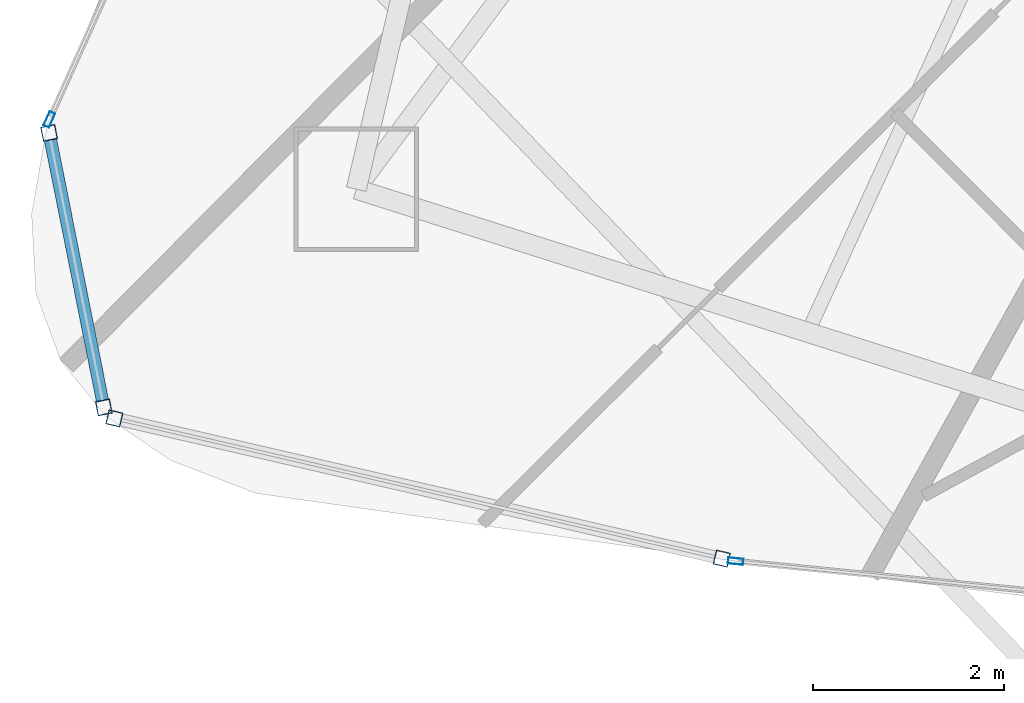
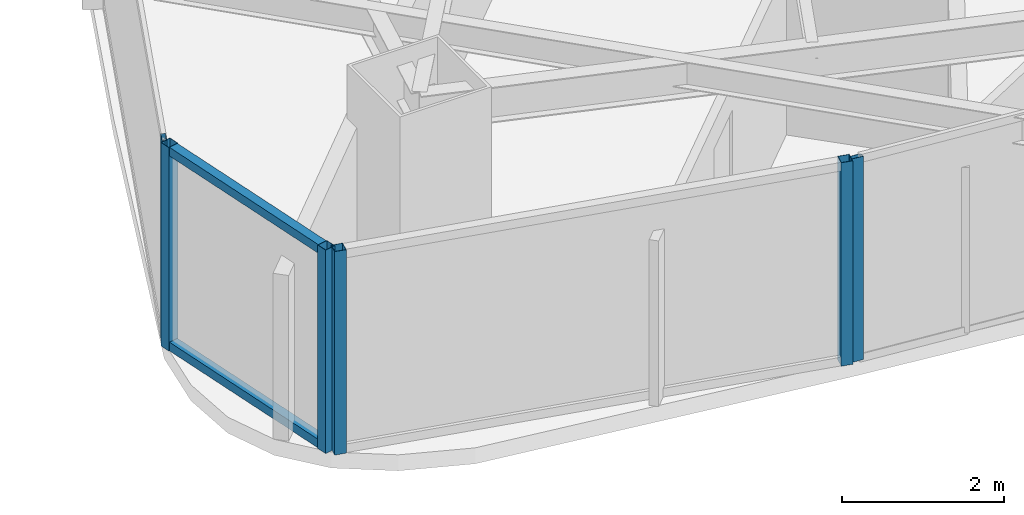
# One storey, part 2 of 29: 8 members, 4 elements without a shape of their own.
"""IFC4 building model written with IfcOpenShell, lengths in metres."""

from ifc_helpers import new_model, si_unit, direction, frame, origin, origin_2d, place, context, subcontext, project, spatial, hollow_rectangle, extrude, material, layer, layer_set, material_profile, profile_set, type_object, element, aggregate, save


model = new_model("IFC4")

# Units and contexts
model_context = context("Model", 3, precision=1e-05, world=origin(), true_north=direction((0.0, 1.0)))
body_context = subcontext(model_context, "Body", "Model", "MODEL_VIEW")
ifc_project = project(units=[si_unit("LENGTHUNIT", "METRE"), si_unit("AREAUNIT", "SQUARE_METRE"), si_unit("VOLUMEUNIT", "CUBIC_METRE"), si_unit("PLANEANGLEUNIT", "RADIAN"), si_unit("MASSUNIT", "GRAM", prefix="KILO")], contexts=[model_context])

# Site, building, storey
site_placement = place(None, origin())
site = spatial("IfcSite", under=ifc_project, at=site_placement, CompositionType="ELEMENT")
building_placement = place(site_placement, origin())
building = spatial("IfcBuilding", under=site, at=building_placement, Name="Orvanel Arch Residences", CompositionType="ELEMENT")
storey_placement = place(building_placement, frame((0.0, 0.0, 250.25)))
storey = spatial("IfcBuildingStorey", under=building, at=storey_placement, Name="L71", CompositionType="ELEMENT", Elevation=250.25)

# Curtain wall, members
ifc_material = material(Name="Bronze-anodised aluminium AA6063-T6", Category="aluminium")
ifc_layer_1 = layer(ifc_material, 0.18994140625)
ifc_layer_set_1 = layer_set([ifc_layer_1], Name="Bronze-anodised aluminium AA6063-T6")
curtain_wall_type_1 = type_object("IfcCurtainWallType", Name="CW5-CRN-SYS", PredefinedType="NOTDEFINED", material=ifc_layer_set_1)
curtain_wall_1_placement = place(storey_placement, origin())
curtain_wall_1 = element("IfcCurtainWall", 1, at=curtain_wall_1_placement, inside=storey, type_object=curtain_wall_type_1, Name="L71 CW5-CRN-SYS Unitised Curtain Wall", PredefinedType="NOTDEFINED")
ifc_material_profile_1 = material_profile(ifc_material, hollow_rectangle(XDim=0.14990234375, YDim=0.14990234375, WallThickness=0.0048828125, at=origin_2d()), Name="ALU150x150x5")
ifc_profile_set_1 = profile_set([ifc_material_profile_1], Name="Bronze-anodised aluminium AA6063-T6")
member_type_1 = type_object("IfcMemberType", Name="MUL-150x150", PredefinedType="MULLION", material=ifc_profile_set_1)
member_1_placement = place(storey_placement, frame((10.983642578125, 10.9404296875, 0.0), z_axis=(0.0, 0.0, 1.0), x_axis=(0.980705375633, 0.195491601364, 0.0)))
member_1 = element("IfcMember", 2, at=member_1_placement, type_object=member_type_1, Name="CW-S5 mullion 1", PredefinedType="MULLION", context=body_context, shape_type="SweptSolid", body=[
    extrude(hollow_rectangle(XDim=0.14990234375, YDim=0.14990234375, WallThickness=0.0048828125, at=origin_2d()), origin(), (0.0, 0.0, 1.0), 3.06005859375),
])
member_2_placement = place(storey_placement, frame((11.556396484375, 8.067626953125, 0.0), z_axis=(0.0, 0.0, 1.0), x_axis=(0.980705375633, 0.195491601364, 0.0)))
member_2 = element("IfcMember", 3, at=member_2_placement, type_object=member_type_1, Name="CW-S5 mullion 2", PredefinedType="MULLION", context=body_context, shape_type="SweptSolid", body=[
    extrude(hollow_rectangle(XDim=0.14990234375, YDim=0.14990234375, WallThickness=0.0048828125, at=origin_2d()), origin(), (0.0, 0.0, 1.0), 3.06005859375),
])

curtain_wall_2_placement = place(storey_placement, origin())
curtain_wall_2 = element("IfcCurtainWall", 4, at=curtain_wall_2_placement, inside=storey, type_object=curtain_wall_type_1, Name="L71 CW5-CRN-SYS Unitised Curtain Wall", PredefinedType="NOTDEFINED")
member_3_placement = place(storey_placement, frame((11.6669921875, 7.9521484375, 0.0), z_axis=(0.0, 0.0, 1.0), x_axis=(0.224870448137, 0.974388670683, 0.0)))
member_3 = element("IfcMember", 5, at=member_3_placement, type_object=member_type_1, Name="CW-S5 mullion 1", PredefinedType="MULLION", context=body_context, shape_type="SweptSolid", body=[
    extrude(hollow_rectangle(XDim=0.14990234375, YDim=0.14990234375, WallThickness=0.0048828125, at=origin_2d()), origin(), (0.0, 0.0, 1.0), 3.06005859375),
])
member_4_placement = place(storey_placement, frame((18.02490234375, 6.48486328125, 0.0), z_axis=(0.0, 0.0, 1.0), x_axis=(0.224870448137, 0.974388670683, 0.0)))
member_4 = element("IfcMember", 6, at=member_4_placement, type_object=member_type_1, Name="CW-S5 mullion 2", PredefinedType="MULLION", context=body_context, shape_type="SweptSolid", body=[
    extrude(hollow_rectangle(XDim=0.14990234375, YDim=0.14990234375, WallThickness=0.0048828125, at=origin_2d()), origin(), (0.0, 0.0, 1.0), 3.06005859375),
])
aggregate(curtain_wall_2, [member_3, member_4])

# Curtain wall, member
ifc_layer_2 = layer(ifc_material, 0.175048828125)
ifc_layer_set_2 = layer_set([ifc_layer_2], Name="Bronze-anodised aluminium AA6063-T6")
curtain_wall_type_2 = type_object("IfcCurtainWallType", Name="CW4-HI-SYS", PredefinedType="NOTDEFINED", material=ifc_layer_set_2)
curtain_wall_3_placement = place(storey_placement, origin())
curtain_wall_3 = element("IfcCurtainWall", 7, at=curtain_wall_3_placement, inside=storey, type_object=curtain_wall_type_2, Name="L71 CW4-HI-SYS Unitised Curtain Wall", PredefinedType="NOTDEFINED")
ifc_material_profile_2 = material_profile(ifc_material, hollow_rectangle(XDim=0.06494140625, YDim=0.159912109375, WallThickness=0.00390625, at=origin_2d()), Name="ALU160x65x4")
ifc_profile_set_2 = profile_set([ifc_material_profile_2], Name="Bronze-anodised aluminium AA6063-T6")
member_type_2 = type_object("IfcMemberType", Name="MUL-160x65", PredefinedType="MULLION", material=ifc_profile_set_2)
member_5_placement = place(storey_placement, frame((10.986328125, 11.08154296875, 0.0), z_axis=(0.0, 0.0, 1.0), x_axis=(0.911907243559, -0.410396368338, 0.0)))
member_5 = element("IfcMember", 8, at=member_5_placement, type_object=member_type_2, Name="CW-S4 mullion 3", PredefinedType="MULLION", context=body_context, shape_type="SweptSolid", body=[
    extrude(hollow_rectangle(XDim=0.06494140625, YDim=0.159912109375, WallThickness=0.00390625, at=origin_2d()), origin(), (0.0, 0.0, 1.0), 3.06005859375),
])
aggregate(curtain_wall_3, [member_5])

curtain_wall_4_placement = place(storey_placement, origin())
curtain_wall_4 = element("IfcCurtainWall", 9, at=curtain_wall_4_placement, inside=storey, type_object=curtain_wall_type_2, Name="L71 CW4-HI-SYS Unitised Curtain Wall", PredefinedType="NOTDEFINED")
member_6_placement = place(storey_placement, frame((18.16943359375, 6.457763671875, 0.0), z_axis=(0.0, 0.0, 1.0), x_axis=(0.099583474002, 0.995029211484, 0.0)))
member_6 = element("IfcMember", 10, at=member_6_placement, type_object=member_type_2, Name="CW-S4 mullion 1", PredefinedType="MULLION", context=body_context, shape_type="SweptSolid", body=[
    extrude(hollow_rectangle(XDim=0.06494140625, YDim=0.159912109375, WallThickness=0.00390625, at=origin_2d()), origin(), (0.0, 0.0, 1.0), 3.06005859375),
])
aggregate(curtain_wall_4, [member_6])

# Member
ifc_material_profile_3 = material_profile(ifc_material, hollow_rectangle(XDim=0.1298828125, YDim=0.1298828125, WallThickness=0.00439453125, at=origin_2d()), Name="ALU130x130x4.5")
ifc_profile_set_3 = profile_set([ifc_material_profile_3], Name="Bronze-anodised aluminium AA6063-T6")
member_type_3 = type_object("IfcMemberType", Name="TRN-130x130", PredefinedType="USERDEFINED", material=ifc_profile_set_3)
member_7_placement = place(storey_placement, frame((10.998291015625, 10.866943359375, 0.06494140625), z_axis=(0.195524889739, -0.980698739416, 0.0), x_axis=(0.980698739416, 0.195524889739, 0.0)))
member_7 = element("IfcMember", 11, at=member_7_placement, type_object=member_type_3, Name="CW-S5 transom 1.1", ObjectType="TRANSOM", PredefinedType="USERDEFINED", context=body_context, shape_type="SweptSolid", body=[
    extrude(hollow_rectangle(XDim=0.1298828125, YDim=0.1298828125, WallThickness=0.00439453125, at=origin_2d()), origin(), (0.0, 0.0, 1.0), 2.779541015625),
])

member_8_placement = place(storey_placement, frame((10.998291015625, 10.866943359375, 2.9951171875), z_axis=(0.195524889739, -0.980698739416, 0.0), x_axis=(0.980698739416, 0.195524889739, 0.0)))
member_8 = element("IfcMember", 12, at=member_8_placement, type_object=member_type_3, Name="CW-S5 transom 1.2", ObjectType="TRANSOM", PredefinedType="USERDEFINED", context=body_context, shape_type="SweptSolid", body=[
    extrude(hollow_rectangle(XDim=0.1298828125, YDim=0.1298828125, WallThickness=0.00439453125, at=origin_2d()), origin(), (0.0, 0.0, 1.0), 2.779541015625),
])

aggregate(curtain_wall_1, [member_1, member_2, member_7, member_8])

save(model, "model.ifc")
